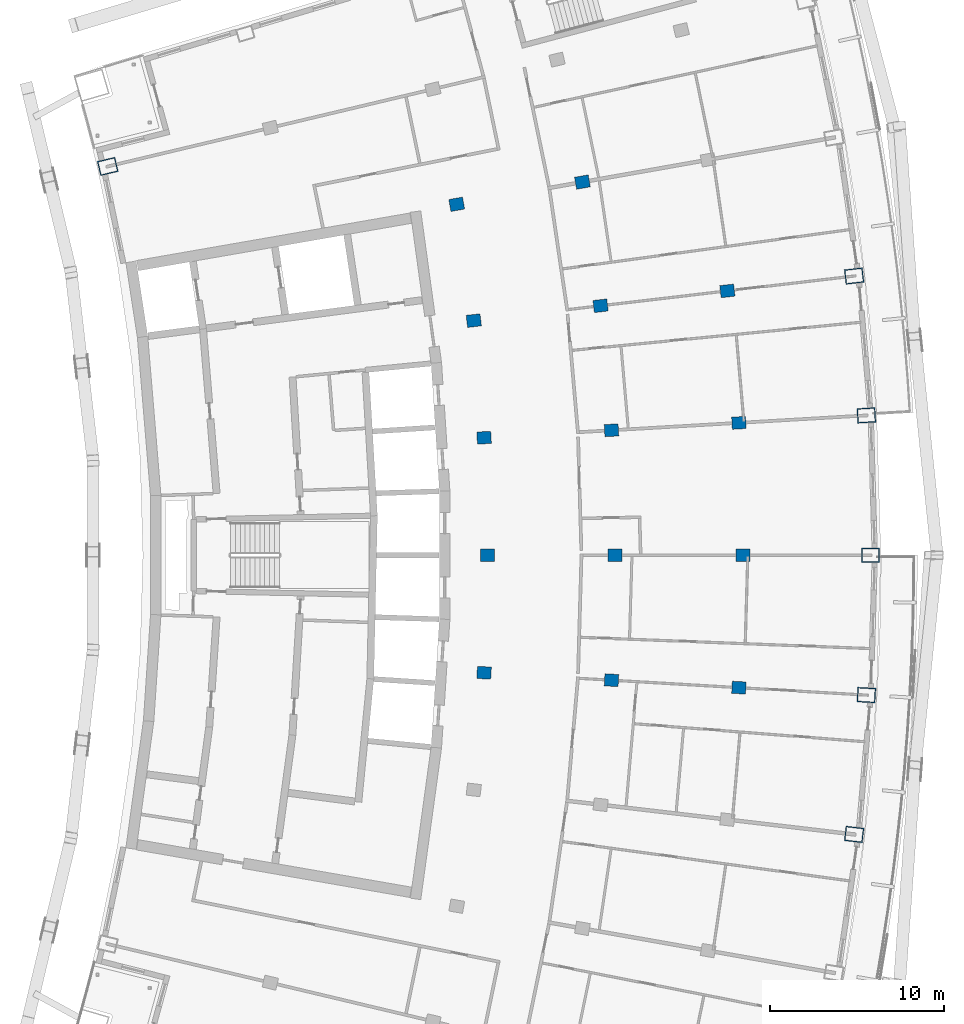
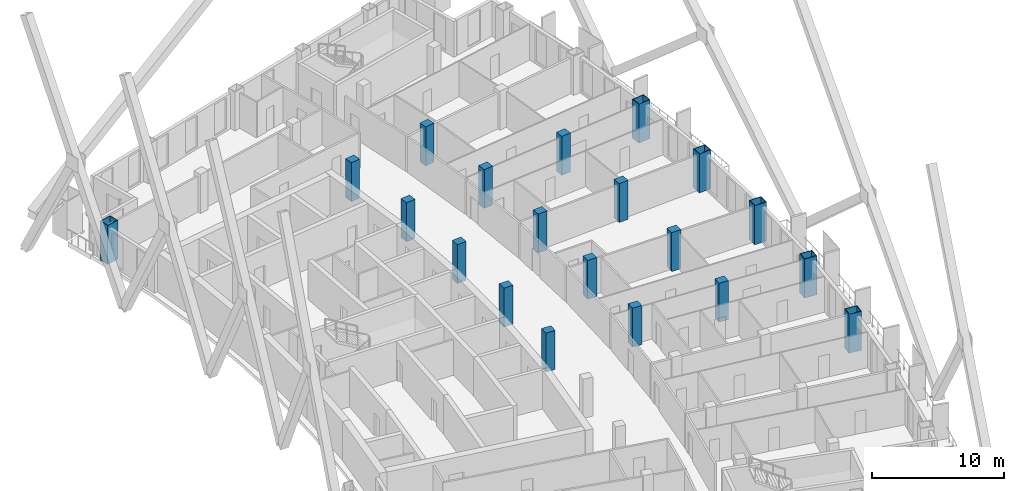
# One storey, part 6 of 20: 20 columns.
"""IFC4 building model written with IfcOpenShell, lengths in metres."""

from ifc_helpers import new_model, si_unit, direction, frame, origin, origin_2d, place, context, subcontext, project, spatial, rectangle, hollow_rectangle, extrude, material, material_profile, profile_set, type_object, element, save


model = new_model("IFC4")

# Units and contexts
model_context = context("Model", 3, precision=1e-05, world=origin(), true_north=direction((0.0, 1.0)))
body_context = subcontext(model_context, "Body", "Model", "MODEL_VIEW")
ifc_project = project(units=[si_unit("LENGTHUNIT", "METRE"), si_unit("AREAUNIT", "SQUARE_METRE"), si_unit("VOLUMEUNIT", "CUBIC_METRE"), si_unit("PLANEANGLEUNIT", "RADIAN"), si_unit("MASSUNIT", "GRAM", prefix="KILO")], contexts=[model_context])

# Site, building, storey
site_placement = place(None, origin())
site = spatial("IfcSite", under=ifc_project, at=site_placement, CompositionType="ELEMENT")
building_placement = place(site_placement, origin())
building = spatial("IfcBuilding", under=site, at=building_placement, Name="Alderwake Tower", CompositionType="ELEMENT")
storey_placement = place(building_placement, frame((0.0, 0.0, 210.800048828125)))
storey = spatial("IfcBuildingStorey", under=building, at=storey_placement, Name="L52", CompositionType="ELEMENT", Elevation=210.800048828125)

# Columns
ifc_material_1 = material(Name="Concrete C70/85", Category="concrete")
ifc_material_profile_1 = material_profile(ifc_material_1, rectangle(XDim=0.699951171875, YDim=0.800048828125, at=origin_2d()), Name="RC 800X700")
ifc_profile_set_1 = profile_set([ifc_material_profile_1], Name="Concrete C70/85")
column_type_1 = type_object("IfcColumnType", Name="Interior column Z4", PredefinedType="COLUMN", material=ifc_profile_set_1)
for number, where, z_axis, x_axis, name in (
    (1, (35.60302734375, 54.248779296875, 0.0), (0.0, 0.0, 1.0), (0.058301061284, 0.998299046505, 0.0), "Column R06-C2"),
    (2, (42.923828125, 53.8212890625, 0.0), (0.0, 0.0, 1.0), (0.058301061284, 0.998299046505, 0.0), "Column R06-C3"),
    (3, (50.244873046875, 53.393798828125, 0.0), (0.0, 0.0, 1.0), (0.058299318924, 0.998299148258, 0.0), "Column R06-C4"),
    (4, (35.800048828125, 61.0, 0.0), (0.0, 0.0, 1.0), (0.0, 1.0, 0.0), "Column R07-C2"),
    (5, (43.13330078125, 61.0, 0.0), (0.0, 0.0, 1.0), (0.0, 1.0, 0.0), "Column R07-C3"),
    (6, (50.466796875, 61.0, 0.0), (0.0, 0.0, 1.0), (0.0, 1.0, 0.0), "Column R07-C4"),
    (7, (35.60302734375, 67.751220703125, 0.0), (0.0, 0.0, 1.0), (-0.058301061284, 0.998299046505, 0.0), "Column R08-C2"),
    (8, (42.923828125, 68.1787109375, 0.0), (0.0, 0.0, 1.0), (-0.058301061284, 0.998299046505, 0.0), "Column R08-C3"),
    (9, (50.244873046875, 68.606201171875, 0.0), (0.0, 0.0, 1.0), (-0.058299318924, 0.998299148258, 0.0), "Column R08-C4"),
    (10, (35.0126953125, 74.4794921875, 0.0), (0.0, 0.0, 1.0), (-0.116402054316, 0.993202175668, 0.0), "Column R09-C2"),
    (11, (42.29638671875, 75.3330078125, 0.0), (0.0, 0.0, 1.0), (-0.116402054316, 0.993202175668, 0.0), "Column R09-C3"),
    (12, (49.579833984375, 76.1865234375, 0.0), (0.0, 0.0, 1.0), (-0.116402054316, 0.993202175668, 0.0), "Column R09-C4"),
    (13, (34.03125, 81.16162109375, 0.0), (0.0, 0.0, 1.0), (-0.174108800747, 0.984726421654, 0.0), "Column R10-C2"),
    (14, (41.252685546875, 82.4384765625, 0.0), (0.0, 0.0, 1.0), (-0.174108800747, 0.984726421654, 0.0), "Column R10-C3"),
):
    element("IfcColumn", number, at=place(storey_placement, frame(where, z_axis=z_axis, x_axis=x_axis)), inside=storey, type_object=column_type_1, Name=name, PredefinedType="COLUMN", context=body_context, shape_type="SweptSolid", body=[
        extrude(rectangle(XDim=0.699951171875, YDim=0.800048828125, at=origin_2d()), origin(), (0.0, 0.0, 1.0), 3.599853515625),
    ])
ifc_material_2 = material(Name="Steel ASTM A572 Grade 50 concrete filled C70/85", Category="concrete")
ifc_material_profile_2 = material_profile(ifc_material_2, hollow_rectangle(XDim=0.85009765625, YDim=1.050048828125, WallThickness=0.054931640625, at=origin_2d()), Name="BOX 1050X850X55")
ifc_profile_set_2 = profile_set([ifc_material_profile_2], Name="Steel ASTM A572 Grade 50 concrete filled C70/85")
column_type_2 = type_object("IfcColumnType", Name="Perimeter column Z4", PredefinedType="COLUMN", material=ifc_profile_set_2)
for number, where, z_axis, x_axis, name in (
    (15, (56.86328125, 44.959716796875, 0.0), (0.0, 0.0, 1.0), (0.116402054316, 0.993202175668, 0.0), "Column R05-C5"),
    (16, (57.565673828125, 52.96630859375, 0.0), (0.0, 0.0, 1.0), (0.058301061284, 0.998299046505, 0.0), "Column R06-C5"),
    (17, (57.800048828125, 61.0, 0.0), (0.0, 0.0, 1.0), (0.0, 1.0, 0.0), "Column R07-C5"),
    (18, (57.565673828125, 69.03369140625, 0.0), (0.0, 0.0, 1.0), (-0.058301061284, 0.998299046505, 0.0), "Column R08-C5"),
    (19, (56.86328125, 77.040283203125, 0.0), (0.0, 0.0, 1.0), (-0.116402054316, 0.993202175668, 0.0), "Column R09-C5"),
    (20, (13.982177734375, 83.3359375, 0.0), (0.0, 0.0, 1.0), (-0.231221547198, 0.972901123502, 0.0), "Column R11-C0"),
):
    element("IfcColumn", number, at=place(storey_placement, frame(where, z_axis=z_axis, x_axis=x_axis)), inside=storey, type_object=column_type_2, Name=name, PredefinedType="COLUMN", context=body_context, shape_type="SweptSolid", body=[
        extrude(hollow_rectangle(XDim=0.85009765625, YDim=1.050048828125, WallThickness=0.054931640625, at=origin_2d()), origin(), (0.0, 0.0, 1.0), 3.599853515625),
    ])

save(model, "model.ifc")
